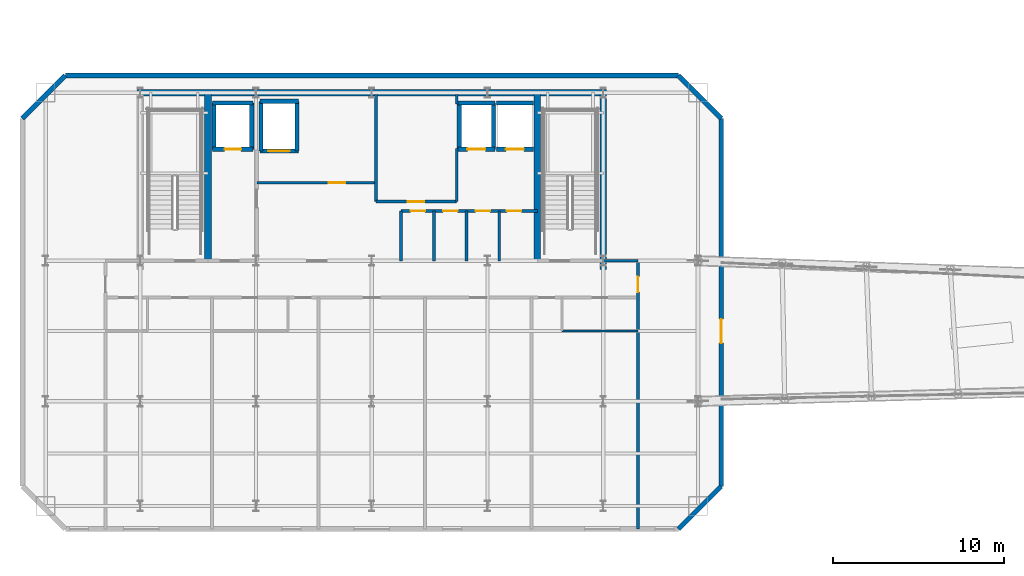
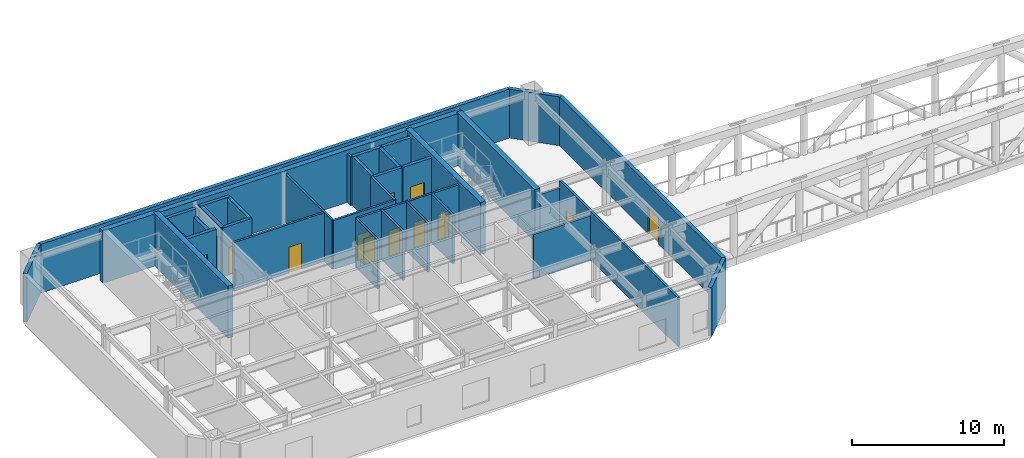
# One storey, part 8 of 14: 36 walls, 12 doors, 12 openings.
"""IFC4 building model written with IfcOpenShell, lengths in metres."""

from ifc_helpers import new_model, si_unit, direction, frame, frame_2d, origin, place, context, subcontext, project, spatial, rectangle, extrude, material, layer, layer_set, type_object, element, fill, save


model = new_model("IFC4")

# Units and contexts
model_context = context("Model", 3, precision=1e-05, world=origin(), true_north=direction((0.0, 1.0)))
body_context = subcontext(model_context, "Body", "Model", "MODEL_VIEW")
ifc_project = project(units=[si_unit("LENGTHUNIT", "METRE"), si_unit("AREAUNIT", "SQUARE_METRE"), si_unit("VOLUMEUNIT", "CUBIC_METRE"), si_unit("PLANEANGLEUNIT", "RADIAN"), si_unit("MASSUNIT", "GRAM", prefix="KILO")], contexts=[model_context])

# Site, building, storey
site_placement = place(None, origin())
site = spatial("IfcSite", under=ifc_project, at=site_placement, CompositionType="ELEMENT")
building_placement = place(site_placement, origin())
building = spatial("IfcBuilding", under=site, at=building_placement, Name="Haevon Station Towers", CompositionType="ELEMENT")
storey_placement = place(building_placement, frame((0.0, 0.0, 201.300048828125)))
storey = spatial("IfcBuildingStorey", under=building, at=storey_placement, Name="L55", CompositionType="ELEMENT", Elevation=201.300048828125)

# Walls
ifc_material_1 = material(Name="Concrete C60/75", Category="concrete")
ifc_layer_1 = layer(ifc_material_1, 0.39990234375)
ifc_layer_set_1 = layer_set([ifc_layer_1], Name="Concrete C60/75")
wall_type_1 = type_object("IfcWallType", Name="WL-CR400", PredefinedType="SHEAR", material=ifc_layer_set_1)
wall_1_placement = place(storey_placement, frame((23.800048828125, 48.0, 0.0), z_axis=(0.0, 0.0, 1.0), x_axis=(1.0, 0.0, 0.0)))
element("IfcWall", 1, at=wall_1_placement, inside=storey, type_object=wall_type_1, Name="WL-T1CR-L55-N", PredefinedType="SHEAR", context=body_context, shape_type="SweptSolid", body=[
    extrude(rectangle(XDim=27.39990234375, YDim=0.39990234375, at=frame_2d((13.699951171875, 0.0))), origin(), (0.0, 0.0, 1.0), 4.199951171875),
])
wall_2_placement = place(storey_placement, frame((51.0, 37.679931640625, 0.0), z_axis=(0.0, 0.0, 1.0), x_axis=(0.0, 1.0, 0.0)))
element("IfcWall", 2, at=wall_2_placement, inside=storey, type_object=wall_type_1, Name="WL-T1CR-L55-E", PredefinedType="SHEAR", context=body_context, shape_type="SweptSolid", body=[
    extrude(rectangle(XDim=10.320068359375, YDim=0.39990234375, at=frame_2d((5.16015625, 0.0))), origin(), (0.0, 0.0, 1.0), 4.199951171875),
])
for number, where, z_axis, x_axis, name in (
    (3, (27.949951171875, 38.199951171875, 0.0), (0.0, 0.0, 1.0), (0.0, 1.0, 0.0), "WL-T1CR-L55-M1"),
    (4, (47.14990234375, 38.199951171875, 0.0), (0.0, 0.0, 1.0), (0.0, 1.0, 0.0), "WL-T1CR-L55-M2"),
):
    element("IfcWall", number, at=place(storey_placement, frame(where, z_axis=z_axis, x_axis=x_axis)), inside=storey, type_object=wall_type_1, Name=name, PredefinedType="SHEAR", context=body_context, shape_type="SweptSolid", body=[
        extrude(rectangle(XDim=9.800048828125, YDim=0.39990234375, at=frame_2d((4.89990234375, 0.0))), origin(), (0.0, 0.0, 1.0), 4.199951171875),
    ])
ifc_material_2 = material(Name="Precast concrete C45/55", Category="concrete")
ifc_layer_2 = layer(ifc_material_2, 0.280029296875)
ifc_layer_set_2 = layer_set([ifc_layer_2], Name="Precast concrete C45/55")
wall_type_2 = type_object("IfcWallType", Name="WL-EXT-PIER280", PredefinedType="SOLIDWALL", material=ifc_layer_set_2)
wall_3_placement = place(storey_placement, frame((17.125, 46.5, 0.0), z_axis=(0.0, 0.0, 1.0), x_axis=(0.707106781187, 0.707106781187, 0.0)))
element("IfcWall", 5, at=wall_3_placement, inside=storey, type_object=wall_type_2, Name="WL-T1-L55-NWC", PredefinedType="SOLIDWALL", context=body_context, shape_type="SweptSolid", body=[
    extrude(rectangle(XDim=3.53564453125, YDim=0.280029296875, at=frame_2d((1.767822265625, 0.0))), origin(), (0.0, 0.0, 1.0), 3.929931640625),
])
wall_4_placement = place(storey_placement, frame((19.625, 49.0, 0.0), z_axis=(0.0, 0.0, 1.0), x_axis=(1.0, 0.0, 0.0)))
element("IfcWall", 6, at=wall_4_placement, inside=storey, type_object=wall_type_2, Name="WL-T1-L55-N", PredefinedType="SOLIDWALL", context=body_context, shape_type="SweptSolid", body=[
    extrude(rectangle(XDim=35.75, YDim=0.280029296875, at=frame_2d((17.875, 0.0))), origin(), (0.0, 0.0, 1.0), 3.929931640625),
])
wall_5_placement = place(storey_placement, frame((55.375, 49.0, 0.0), z_axis=(0.0, 0.0, 1.0), x_axis=(0.707106781187, -0.707106781187, 0.0)))
element("IfcWall", 7, at=wall_5_placement, inside=storey, type_object=wall_type_2, Name="WL-T1-L55-NEC", PredefinedType="SOLIDWALL", context=body_context, shape_type="SweptSolid", body=[
    extrude(rectangle(XDim=3.53564453125, YDim=0.280029296875, at=frame_2d((1.767822265625, 0.0))), origin(), (0.0, 0.0, 1.0), 3.929931640625),
])

# Wall, opening, door
wall_6_placement = place(storey_placement, frame((57.875, 46.5, 0.0), z_axis=(0.0, 0.0, 1.0), x_axis=(0.0, -1.0, 0.0)))
wall_6 = element("IfcWall", 8, at=wall_6_placement, inside=storey, type_object=wall_type_2, Name="WL-T1-L55-E", PredefinedType="SOLIDWALL", context=body_context, shape_type="SweptSolid", body=[
    extrude(rectangle(XDim=21.449951171875, YDim=0.280029296875, at=frame_2d((10.72509765625, 0.0))), origin(), (0.0, 0.0, 1.0), 3.929931640625),
])
opening_1_placement = place(wall_6_placement, frame((11.699951171875, 0.0, 0.0)))
opening_1 = element("IfcOpeningElement", 9, at=opening_1_placement, cuts=wall_6, Name="Opening DR-SKP-T1-L55", PredefinedType="OPENING", context=body_context, shape_type="SweptSolid", body=[
    extrude(rectangle(XDim=1.39990234375, YDim=2.14990234375, at=frame_2d((0.699951171875, 1.074951171875))), frame((0.0, 0.14990234375, 0.0), z_axis=(0.0, -1.0, 0.0), x_axis=(1.0, 0.0, 0.0)), (0.0, 0.0, 1.0), 0.300048828125),
])
ifc_material_3 = material(Name="Thermally broken anodised aluminium and laminated safety glass", Category="aluminium")
door_type_1 = type_object("IfcDoorType", Name="DR-SKP-1400", OperationType="NOTDEFINED", PredefinedType="DOOR", material=ifc_material_3)
door_1_placement = place(opening_1_placement, origin())
door_1 = element("IfcDoor", 10, at=door_1_placement, inside=storey, type_object=door_type_1, Name="Sky-Park Bridge Level L55 Tower 1 Fire Link Door", OperationType="SINGLE_SWING_LEFT", OverallHeight=2.14990234375, OverallWidth=1.39990234375, PredefinedType="DOOR", context=body_context, shape_type="SweptSolid", body=[
    extrude(rectangle(XDim=1.39990234375, YDim=2.14990234375, at=frame_2d((0.699951171875, 1.074951171875))), frame((0.0, 0.02490234375, 0.0), z_axis=(0.0, -1.0, 0.0), x_axis=(1.0, 0.0, 0.0)), (0.0, 0.0, 1.0), 0.050048828125),
])
fill(opening_1, door_1)

# Walls
wall_7_placement = place(storey_placement, frame((57.875, 25.050048828125, 0.0), z_axis=(0.0, 0.0, 1.0), x_axis=(-0.707106781187, -0.707106781187, 0.0)))
element("IfcWall", 11, at=wall_7_placement, inside=storey, type_object=wall_type_2, Name="WL-T1-L55-SEC", PredefinedType="SOLIDWALL", context=body_context, shape_type="SweptSolid", body=[
    extrude(rectangle(XDim=3.53564453125, YDim=0.280029296875, at=frame_2d((1.767822265625, 0.0))), origin(), (0.0, 0.0, 1.0), 3.929931640625),
])
ifc_material_4 = material(Name="Gypsum board on steel stud", Category="steel")
ifc_layer_3 = layer(ifc_material_4, 0.125)
ifc_layer_set_3 = layer_set([ifc_layer_3], Name="Gypsum board on steel stud")
wall_type_3 = type_object("IfcWallType", Name="WL-PRT125", PredefinedType="PARTITIONING", material=ifc_layer_set_3)
wall_8_placement = place(storey_placement, frame((48.594970703125, 34.10009765625, 0.0), z_axis=(0.0, 0.0, 1.0), x_axis=(1.0, 0.0, 0.0)))
element("IfcWall", 12, at=wall_8_placement, inside=storey, type_object=wall_type_3, Name="WL-T1PT-L55-13", PredefinedType="PARTITIONING", context=body_context, shape_type="SweptSolid", body=[
    extrude(rectangle(XDim=4.429931640625, YDim=0.125, at=frame_2d((2.21484375, 0.0))), origin(), (0.0, 0.0, 1.0), 3.579833984375),
])

# Wall, opening, door
ifc_layer_4 = layer(ifc_material_4, 0.159912109375)
ifc_layer_set_4 = layer_set([ifc_layer_4], Name="Gypsum board on steel stud")
wall_type_4 = type_object("IfcWallType", Name="WL-PRT160", PredefinedType="PARTITIONING", material=ifc_layer_set_4)
wall_9_placement = place(storey_placement, frame((30.800048828125, 42.75, 0.0), z_axis=(0.0, 0.0, 1.0), x_axis=(1.0, 0.0, 0.0)))
wall_9 = element("IfcWall", 13, at=wall_9_placement, inside=storey, type_object=wall_type_4, Name="WL-T1CW-L55-01", PredefinedType="PARTITIONING", context=body_context, shape_type="SweptSolid", body=[
    extrude(rectangle(XDim=6.949951171875, YDim=0.159912109375, at=frame_2d((3.47509765625, 0.0))), origin(), (0.0, 0.0, 1.0), 3.929931640625),
])
opening_2_placement = place(wall_9_placement, frame((4.199951171875, 0.0, 0.0)))
opening_2 = element("IfcOpeningElement", 14, at=opening_2_placement, cuts=wall_9, Name="Opening DR-WL-T1CW-L55-01-1", PredefinedType="OPENING", context=body_context, shape_type="SweptSolid", body=[
    extrude(rectangle(XDim=0.949951171875, YDim=2.10009765625, at=frame_2d((0.47509765625, 1.050048828125))), frame((0.0, 0.08984375, 0.0), z_axis=(0.0, -1.0, 0.0), x_axis=(1.0, 0.0, 0.0)), (0.0, 0.0, 1.0), 0.179931640625),
])
ifc_material_5 = material(Name="Engineered oak timber", Category="wood")
door_type_2 = type_object("IfcDoorType", Name="DR-FD60-950", OperationType="NOTDEFINED", PredefinedType="DOOR", material=ifc_material_5)
door_2_placement = place(opening_2_placement, origin())
door_2 = element("IfcDoor", 15, at=door_2_placement, inside=storey, type_object=door_type_2, Name="L55 Tower 1 Core Room Door 1-1", OperationType="SINGLE_SWING_LEFT", OverallHeight=2.10009765625, OverallWidth=0.949951171875, PredefinedType="DOOR", context=body_context, shape_type="SweptSolid", body=[
    extrude(rectangle(XDim=0.949951171875, YDim=2.10009765625, at=frame_2d((0.47509765625, 1.050048828125))), frame((0.0, 0.02490234375, 0.0), z_axis=(0.0, -1.0, 0.0), x_axis=(1.0, 0.0, 0.0)), (0.0, 0.0, 1.0), 0.050048828125),
])
fill(opening_2, door_2)

# Wall
wall_10_placement = place(storey_placement, frame((37.75, 41.64990234375, 0.0), z_axis=(0.0, 0.0, 1.0), x_axis=(0.0, 1.0, 0.0)))
element("IfcWall", 16, at=wall_10_placement, inside=storey, type_object=wall_type_4, Name="WL-T1CW-L55-02", PredefinedType="PARTITIONING", context=body_context, shape_type="SweptSolid", body=[
    extrude(rectangle(XDim=6.25, YDim=0.159912109375, at=frame_2d((3.125, 0.0))), origin(), (0.0, 0.0, 1.0), 3.929931640625),
])

# Wall, opening, door
wall_11_placement = place(storey_placement, frame((37.75, 41.64990234375, 0.0), z_axis=(0.0, 0.0, 1.0), x_axis=(1.0, 0.0, 0.0)))
wall_11 = element("IfcWall", 17, at=wall_11_placement, inside=storey, type_object=wall_type_4, Name="WL-T1CW-L55-03", PredefinedType="PARTITIONING", context=body_context, shape_type="SweptSolid", body=[
    extrude(rectangle(XDim=4.699951171875, YDim=0.159912109375, at=frame_2d((2.35009765625, 0.0))), origin(), (0.0, 0.0, 1.0), 3.929931640625),
])
opening_3_placement = place(wall_11_placement, frame((1.85009765625, 0.0, 0.0)))
opening_3 = element("IfcOpeningElement", 18, at=opening_3_placement, cuts=wall_11, Name="Opening DR-WL-T1CW-L55-03-1", PredefinedType="OPENING", context=body_context, shape_type="SweptSolid", body=[
    extrude(rectangle(XDim=0.949951171875, YDim=2.10009765625, at=frame_2d((0.47509765625, 1.050048828125))), frame((0.0, 0.08984375, 0.0), z_axis=(0.0, -1.0, 0.0), x_axis=(1.0, 0.0, 0.0)), (0.0, 0.0, 1.0), 0.179931640625),
])
door_3_placement = place(opening_3_placement, origin())
door_3 = element("IfcDoor", 19, at=door_3_placement, inside=storey, type_object=door_type_2, Name="L55 Tower 1 Core Room Door 3-1", OperationType="SINGLE_SWING_RIGHT", OverallHeight=2.10009765625, OverallWidth=0.949951171875, PredefinedType="DOOR", context=body_context, shape_type="SweptSolid", body=[
    extrude(rectangle(XDim=0.949951171875, YDim=2.10009765625, at=frame_2d((0.47509765625, 1.050048828125))), frame((0.0, 0.02490234375, 0.0), z_axis=(0.0, -1.0, 0.0), x_axis=(1.0, 0.0, 0.0)), (0.0, 0.0, 1.0), 0.050048828125),
])
fill(opening_3, door_3)

# Walls
wall_12_placement = place(storey_placement, frame((42.449951171875, 41.64990234375, 0.0), z_axis=(0.0, 0.0, 1.0), x_axis=(0.0, 1.0, 0.0)))
element("IfcWall", 20, at=wall_12_placement, inside=storey, type_object=wall_type_4, Name="WL-T1CW-L55-04", PredefinedType="PARTITIONING", context=body_context, shape_type="SweptSolid", body=[
    extrude(rectangle(XDim=3.10009765625, YDim=0.159912109375, at=frame_2d((1.550048828125, 0.0))), origin(), (0.0, 0.0, 1.0), 3.929931640625),
])
wall_13_placement = place(storey_placement, frame((42.449951171875, 47.35009765625, 0.0), z_axis=(0.0, 0.0, 1.0), x_axis=(0.0, 1.0, 0.0)))
element("IfcWall", 21, at=wall_13_placement, inside=storey, type_object=wall_type_4, Name="WL-T1CW-L55-05", PredefinedType="PARTITIONING", context=body_context, shape_type="SweptSolid", body=[
    extrude(rectangle(XDim=0.5498046875, YDim=0.159912109375, at=frame_2d((0.27490234375, 0.0))), origin(), (0.0, 0.0, 1.0), 3.929931640625),
])
for number, where, z_axis, x_axis, name in (
    (22, (39.199951171875, 38.199951171875, 0.0), (0.0, 0.0, 1.0), (0.0, 1.0, 0.0), "WL-T1CW-L55-06"),
    (23, (41.1298828125, 38.199951171875, 0.0), (0.0, 0.0, 1.0), (0.0, 1.0, 0.0), "WL-T1CW-L55-07"),
    (24, (43.030029296875, 38.199951171875, 0.0), (0.0, 0.0, 1.0), (0.0, 1.0, 0.0), "WL-T1CW-L55-08"),
    (25, (44.929931640625, 38.199951171875, 0.0), (0.0, 0.0, 1.0), (0.0, 1.0, 0.0), "WL-T1CW-L55-09"),
):
    element("IfcWall", number, at=place(storey_placement, frame(where, z_axis=z_axis, x_axis=x_axis)), inside=storey, type_object=wall_type_4, Name=name, PredefinedType="PARTITIONING", context=body_context, shape_type="SweptSolid", body=[
        extrude(rectangle(XDim=2.900146484375, YDim=0.159912109375, at=frame_2d((1.4501953125, 0.0))), origin(), (0.0, 0.0, 1.0), 3.929931640625),
    ])

# Wall, openings, doors
wall_14_placement = place(storey_placement, frame((39.199951171875, 41.10009765625, 0.0), z_axis=(0.0, 0.0, 1.0), x_axis=(1.0, 0.0, 0.0)))
wall_14 = element("IfcWall", 26, at=wall_14_placement, inside=storey, type_object=wall_type_4, Name="WL-T1CW-L55-10", PredefinedType="PARTITIONING", context=body_context, shape_type="SweptSolid", body=[
    extrude(rectangle(XDim=7.949951171875, YDim=0.159912109375, at=frame_2d((3.97509765625, 0.0))), origin(), (0.0, 0.0, 1.0), 3.929931640625),
])
opening_4_placement = place(wall_14_placement, frame((0.56005859375, 0.0, 0.0)))
opening_4 = element("IfcOpeningElement", 27, at=opening_4_placement, cuts=wall_14, Name="Opening DR-WL-T1CW-L55-10-1", PredefinedType="OPENING", context=body_context, shape_type="SweptSolid", body=[
    extrude(rectangle(XDim=0.85009765625, YDim=2.050048828125, at=frame_2d((0.425048828125, 1.02490234375))), frame((0.0, 0.08984375, 0.0), z_axis=(0.0, -1.0, 0.0), x_axis=(1.0, 0.0, 0.0)), (0.0, 0.0, 1.0), 0.179931640625),
])
opening_5_placement = place(wall_14_placement, frame((2.455078125, 0.0, 0.0)))
opening_5 = element("IfcOpeningElement", 28, at=opening_5_placement, cuts=wall_14, Name="Opening DR-WL-T1CW-L55-10-2", PredefinedType="OPENING", context=body_context, shape_type="SweptSolid", body=[
    extrude(rectangle(XDim=0.85009765625, YDim=2.050048828125, at=frame_2d((0.425048828125, 1.02490234375))), frame((0.0, 0.08984375, 0.0), z_axis=(0.0, -1.0, 0.0), x_axis=(1.0, 0.0, 0.0)), (0.0, 0.0, 1.0), 0.179931640625),
])
opening_6_placement = place(wall_14_placement, frame((4.35498046875, 0.0, 0.0)))
opening_6 = element("IfcOpeningElement", 29, at=opening_6_placement, cuts=wall_14, Name="Opening DR-WL-T1CW-L55-10-3", PredefinedType="OPENING", context=body_context, shape_type="SweptSolid", body=[
    extrude(rectangle(XDim=0.85009765625, YDim=2.050048828125, at=frame_2d((0.425048828125, 1.02490234375))), frame((0.0, 0.08984375, 0.0), z_axis=(0.0, -1.0, 0.0), x_axis=(1.0, 0.0, 0.0)), (0.0, 0.0, 1.0), 0.179931640625),
])
opening_7_placement = place(wall_14_placement, frame((6.179931640625, 0.0, 0.0)))
opening_7 = element("IfcOpeningElement", 30, at=opening_7_placement, cuts=wall_14, Name="Opening DR-WL-T1CW-L55-10-4", PredefinedType="OPENING", context=body_context, shape_type="SweptSolid", body=[
    extrude(rectangle(XDim=0.85009765625, YDim=2.050048828125, at=frame_2d((0.425048828125, 1.02490234375))), frame((0.0, 0.08984375, 0.0), z_axis=(0.0, -1.0, 0.0), x_axis=(1.0, 0.0, 0.0)), (0.0, 0.0, 1.0), 0.179931640625),
])
door_type_3 = type_object("IfcDoorType", Name="DR-FD30-850", OperationType="NOTDEFINED", PredefinedType="DOOR", material=ifc_material_5)
door_4_placement = place(opening_4_placement, origin())
door_4 = element("IfcDoor", 31, at=door_4_placement, inside=storey, type_object=door_type_3, Name="L55 Tower 1 Core Room Door 10-1", OperationType="SINGLE_SWING_LEFT", OverallHeight=2.050048828125, OverallWidth=0.85009765625, PredefinedType="DOOR", context=body_context, shape_type="SweptSolid", body=[
    extrude(rectangle(XDim=0.85009765625, YDim=2.050048828125, at=frame_2d((0.425048828125, 1.02490234375))), frame((0.0, 0.02490234375, 0.0), z_axis=(0.0, -1.0, 0.0), x_axis=(1.0, 0.0, 0.0)), (0.0, 0.0, 1.0), 0.050048828125),
])
fill(opening_4, door_4)
door_5_placement = place(opening_5_placement, origin())
door_5 = element("IfcDoor", 32, at=door_5_placement, inside=storey, type_object=door_type_3, Name="L55 Tower 1 Core Room Door 10-2", OperationType="SINGLE_SWING_RIGHT", OverallHeight=2.050048828125, OverallWidth=0.85009765625, PredefinedType="DOOR", context=body_context, shape_type="SweptSolid", body=[
    extrude(rectangle(XDim=0.85009765625, YDim=2.050048828125, at=frame_2d((0.425048828125, 1.02490234375))), frame((0.0, 0.02490234375, 0.0), z_axis=(0.0, -1.0, 0.0), x_axis=(1.0, 0.0, 0.0)), (0.0, 0.0, 1.0), 0.050048828125),
])
fill(opening_5, door_5)
door_6_placement = place(opening_6_placement, origin())
door_6 = element("IfcDoor", 33, at=door_6_placement, inside=storey, type_object=door_type_3, Name="L55 Tower 1 Core Room Door 10-3", OperationType="SINGLE_SWING_LEFT", OverallHeight=2.050048828125, OverallWidth=0.85009765625, PredefinedType="DOOR", context=body_context, shape_type="SweptSolid", body=[
    extrude(rectangle(XDim=0.85009765625, YDim=2.050048828125, at=frame_2d((0.425048828125, 1.02490234375))), frame((0.0, 0.02490234375, 0.0), z_axis=(0.0, -1.0, 0.0), x_axis=(1.0, 0.0, 0.0)), (0.0, 0.0, 1.0), 0.050048828125),
])
fill(opening_6, door_6)
door_7_placement = place(opening_7_placement, origin())
door_7 = element("IfcDoor", 34, at=door_7_placement, inside=storey, type_object=door_type_3, Name="L55 Tower 1 Core Room Door 10-4", OperationType="SINGLE_SWING_RIGHT", OverallHeight=2.050048828125, OverallWidth=0.85009765625, PredefinedType="DOOR", context=body_context, shape_type="SweptSolid", body=[
    extrude(rectangle(XDim=0.85009765625, YDim=2.050048828125, at=frame_2d((0.425048828125, 1.02490234375))), frame((0.0, 0.02490234375, 0.0), z_axis=(0.0, -1.0, 0.0), x_axis=(1.0, 0.0, 0.0)), (0.0, 0.0, 1.0), 0.050048828125),
])
fill(opening_7, door_7)

# Wall
wall_15_placement = place(storey_placement, frame((51.0, 38.199951171875, 0.0), z_axis=(0.0, 0.0, 1.0), x_axis=(1.0, 0.0, 0.0)))
element("IfcWall", 35, at=wall_15_placement, inside=storey, type_object=wall_type_4, Name="WL-T1PT-L55-02", PredefinedType="PARTITIONING", context=body_context, shape_type="SweptSolid", body=[
    extrude(rectangle(XDim=2.02490234375, YDim=0.159912109375, at=frame_2d((1.012451171875, 0.0))), origin(), (0.0, 0.0, 1.0), 3.329833984375),
])

# Wall, opening, door
wall_16_placement = place(storey_placement, frame((53.02490234375, 22.550048828125, 0.0), z_axis=(0.0, 0.0, 1.0), x_axis=(0.0, 1.0, 0.0)))
wall_16 = element("IfcWall", 36, at=wall_16_placement, inside=storey, type_object=wall_type_4, Name="WL-T1PT-L55-04", PredefinedType="PARTITIONING", context=body_context, shape_type="SweptSolid", body=[
    extrude(rectangle(XDim=15.64990234375, YDim=0.159912109375, at=frame_2d((7.824951171875, 0.0))), origin(), (0.0, 0.0, 1.0), 3.929931640625),
])
opening_8_placement = place(wall_16_placement, frame((13.820068359375, 0.0, 0.0)))
opening_8 = element("IfcOpeningElement", 37, at=opening_8_placement, cuts=wall_16, Name="Opening DR-WL-T1PT-L55-04-01", PredefinedType="OPENING", context=body_context, shape_type="SweptSolid", body=[
    extrude(rectangle(XDim=0.89990234375, YDim=2.050048828125, at=frame_2d((0.449951171875, 1.02490234375))), frame((0.0, 0.08984375, 0.0), z_axis=(0.0, -1.0, 0.0), x_axis=(1.0, 0.0, 0.0)), (0.0, 0.0, 1.0), 0.179931640625),
])
door_type_4 = type_object("IfcDoorType", Name="DR-INT-900", OperationType="NOTDEFINED", PredefinedType="DOOR", material=ifc_material_5)
door_8_placement = place(opening_8_placement, origin())
door_8 = element("IfcDoor", 38, at=door_8_placement, inside=storey, type_object=door_type_4, Name="L55 Tower 1 Room Door 4-1", OperationType="SINGLE_SWING_RIGHT", OverallHeight=2.050048828125, OverallWidth=0.89990234375, PredefinedType="DOOR", context=body_context, shape_type="SweptSolid", body=[
    extrude(rectangle(XDim=0.89990234375, YDim=2.050048828125, at=frame_2d((0.449951171875, 1.02490234375))), frame((0.0, 0.02490234375, 0.0), z_axis=(0.0, -1.0, 0.0), x_axis=(1.0, 0.0, 0.0)), (0.0, 0.0, 1.0), 0.050048828125),
])
fill(opening_8, door_8)

ifc_material_6 = material(Name="Concrete C40/50", Category="concrete")
ifc_layer_5 = layer(ifc_material_6, 0.239990234375)
ifc_layer_set_5 = layer_set([ifc_layer_5], Name="Concrete C40/50")
wall_type_5 = type_object("IfcWallType", Name="WL-SHF240", PredefinedType="PARTITIONING", material=ifc_layer_set_5)
wall_17_placement = place(storey_placement, frame((28.219970703125, 44.699951171875, 0.0), z_axis=(0.0, 0.0, 1.0), x_axis=(1.0, 0.0, 0.0)))
wall_17 = element("IfcWall", 39, at=wall_17_placement, inside=storey, type_object=wall_type_5, Name="WL-SHF-FL1-L55", PredefinedType="PARTITIONING", context=body_context, shape_type="SweptSolid", body=[
    extrude(rectangle(XDim=2.360107421875, YDim=0.239990234375, at=frame_2d((1.18017578125, 0.0))), origin(), (0.0, 0.0, 1.0), 3.929931640625),
])
opening_9_placement = place(wall_17_placement, frame((0.705078125, 0.0, 0.0)))
opening_9 = element("IfcOpeningElement", 40, at=opening_9_placement, cuts=wall_17, Name="Opening LD-FL1-L55", PredefinedType="OPENING", context=body_context, shape_type="SweptSolid", body=[
    extrude(rectangle(XDim=0.949951171875, YDim=2.14990234375, at=frame_2d((0.47509765625, 1.074951171875))), frame((0.0, 0.1298828125, 0.0), z_axis=(0.0, -1.0, 0.0), x_axis=(1.0, 0.0, 0.0)), (0.0, 0.0, 1.0), 0.260009765625),
])
ifc_material_7 = material(Name="Stainless steel and rated core", Category="steel")
door_type_5 = type_object("IfcDoorType", Name="LD-FL950", OperationType="SLIDING_TO_LEFT", PredefinedType="DOOR", material=ifc_material_7)
door_9_placement = place(opening_9_placement, origin())
door_9 = element("IfcDoor", 41, at=door_9_placement, inside=storey, type_object=door_type_5, Name="L55 Lift FL1 Sliding Landing Door", OperationType="SLIDING_TO_LEFT", OverallHeight=2.14990234375, OverallWidth=0.949951171875, PredefinedType="DOOR", context=body_context, shape_type="SweptSolid", body=[
    extrude(rectangle(XDim=0.949951171875, YDim=2.14990234375, at=frame_2d((0.47509765625, 1.074951171875))), frame((0.0, 0.02490234375, 0.0), z_axis=(0.0, -1.0, 0.0), x_axis=(1.0, 0.0, 0.0)), (0.0, 0.0, 1.0), 0.050048828125),
])
fill(opening_9, door_9)

# Walls
wall_18_placement = place(storey_placement, frame((28.219970703125, 47.39990234375, 0.0), z_axis=(0.0, 0.0, 1.0), x_axis=(1.0, 0.0, 0.0)))
element("IfcWall", 42, at=wall_18_placement, inside=storey, type_object=wall_type_5, Name="WL-SHF-FL1-L55-N", PredefinedType="PARTITIONING", context=body_context, shape_type="SweptSolid", body=[
    extrude(rectangle(XDim=2.360107421875, YDim=0.239990234375, at=frame_2d((1.18017578125, 0.0))), origin(), (0.0, 0.0, 1.0), 3.929931640625),
])
wall_19_placement = place(storey_placement, frame((28.300048828125, 44.699951171875, 0.0), z_axis=(0.0, 0.0, 1.0), x_axis=(0.0, 1.0, 0.0)))
element("IfcWall", 43, at=wall_19_placement, inside=storey, type_object=wall_type_5, Name="WL-SHF-FL1-L55-W", PredefinedType="PARTITIONING", context=body_context, shape_type="SweptSolid", body=[
    extrude(rectangle(XDim=2.699951171875, YDim=0.239990234375, at=frame_2d((1.35009765625, 0.0))), origin(), (0.0, 0.0, 1.0), 3.929931640625),
])
wall_20_placement = place(storey_placement, frame((30.5, 44.699951171875, 0.0), z_axis=(0.0, 0.0, 1.0), x_axis=(0.0, 1.0, 0.0)))
element("IfcWall", 44, at=wall_20_placement, inside=storey, type_object=wall_type_5, Name="WL-SHF-FL1-L55-E", PredefinedType="PARTITIONING", context=body_context, shape_type="SweptSolid", body=[
    extrude(rectangle(XDim=2.699951171875, YDim=0.239990234375, at=frame_2d((1.35009765625, 0.0))), origin(), (0.0, 0.0, 1.0), 3.329833984375),
])

# Wall, opening, door
wall_21_placement = place(storey_placement, frame((30.969970703125, 44.60009765625, 0.0), z_axis=(0.0, 0.0, 1.0), x_axis=(1.0, 0.0, 0.0)))
wall_21 = element("IfcWall", 45, at=wall_21_placement, inside=storey, type_object=wall_type_5, Name="WL-SHF-SL1-L55", PredefinedType="PARTITIONING", context=body_context, shape_type="SweptSolid", body=[
    extrude(rectangle(XDim=2.260009765625, YDim=0.239990234375, at=frame_2d((1.1298828125, 0.0))), origin(), (0.0, 0.0, 1.0), 3.929931640625),
])
opening_10_placement = place(wall_21_placement, frame((0.5048828125, 0.0, 0.0)))
opening_10 = element("IfcOpeningElement", 46, at=opening_10_placement, cuts=wall_21, Name="Opening LD-SL1-L55", PredefinedType="OPENING", context=body_context, shape_type="SweptSolid", body=[
    extrude(rectangle(XDim=1.25, YDim=2.199951171875, at=frame_2d((0.625, 1.10009765625))), frame((0.0, 0.1298828125, 0.0), z_axis=(0.0, -1.0, 0.0), x_axis=(1.0, 0.0, 0.0)), (0.0, 0.0, 1.0), 0.260009765625),
])
door_type_6 = type_object("IfcDoorType", Name="LD-SL1250", OperationType="SLIDING_TO_LEFT", PredefinedType="DOOR", material=ifc_material_7)
door_10_placement = place(opening_10_placement, origin())
door_10 = element("IfcDoor", 47, at=door_10_placement, inside=storey, type_object=door_type_6, Name="L55 Lift SL1 Sliding Landing Door", OperationType="SLIDING_TO_LEFT", OverallHeight=2.199951171875, OverallWidth=1.25, PredefinedType="DOOR", context=body_context, shape_type="SweptSolid", body=[
    extrude(rectangle(XDim=1.25, YDim=2.199951171875, at=frame_2d((0.625, 1.10009765625))), frame((0.0, 0.02490234375, 0.0), z_axis=(0.0, -1.0, 0.0), x_axis=(1.0, 0.0, 0.0)), (0.0, 0.0, 1.0), 0.050048828125),
])
fill(opening_10, door_10)

# Walls
wall_22_placement = place(storey_placement, frame((30.969970703125, 47.5, 0.0), z_axis=(0.0, 0.0, 1.0), x_axis=(1.0, 0.0, 0.0)))
element("IfcWall", 48, at=wall_22_placement, inside=storey, type_object=wall_type_5, Name="WL-SHF-SL1-L55-N", PredefinedType="PARTITIONING", context=body_context, shape_type="SweptSolid", body=[
    extrude(rectangle(XDim=2.260009765625, YDim=0.239990234375, at=frame_2d((1.1298828125, 0.0))), origin(), (0.0, 0.0, 1.0), 3.929931640625),
])
for number, where, z_axis, x_axis, name in (
    (49, (31.050048828125, 44.60009765625, 0.0), (0.0, 0.0, 1.0), (0.0, 1.0, 0.0), "WL-SHF-SL1-L55-W"),
    (50, (33.14990234375, 44.60009765625, 0.0), (0.0, 0.0, 1.0), (0.0, 1.0, 0.0), "WL-SHF-SL1-L55-E"),
):
    element("IfcWall", number, at=place(storey_placement, frame(where, z_axis=z_axis, x_axis=x_axis)), inside=storey, type_object=wall_type_5, Name=name, PredefinedType="PARTITIONING", context=body_context, shape_type="SweptSolid", body=[
        extrude(rectangle(XDim=2.89990234375, YDim=0.239990234375, at=frame_2d((1.449951171875, 0.0))), origin(), (0.0, 0.0, 1.0), 3.929931640625),
    ])

# Wall, opening, door
wall_23_placement = place(storey_placement, frame((42.52001953125, 44.699951171875, 0.0), z_axis=(0.0, 0.0, 1.0), x_axis=(1.0, 0.0, 0.0)))
wall_23 = element("IfcWall", 51, at=wall_23_placement, inside=storey, type_object=wall_type_5, Name="WL-SHF-PL5-L55", PredefinedType="PARTITIONING", context=body_context, shape_type="SweptSolid", body=[
    extrude(rectangle(XDim=2.159912109375, YDim=0.239990234375, at=frame_2d((1.080078125, 0.0))), origin(), (0.0, 0.0, 1.0), 3.929931640625),
])
opening_11_placement = place(wall_23_placement, frame((0.554931640625, 0.0, 0.0)))
opening_11 = element("IfcOpeningElement", 52, at=opening_11_placement, cuts=wall_23, Name="Opening LD-PL5-L55", PredefinedType="OPENING", context=body_context, shape_type="SweptSolid", body=[
    extrude(rectangle(XDim=1.050048828125, YDim=2.14990234375, at=frame_2d((0.52490234375, 1.074951171875))), frame((0.0, 0.1298828125, 0.0), z_axis=(0.0, -1.0, 0.0), x_axis=(1.0, 0.0, 0.0)), (0.0, 0.0, 1.0), 0.260009765625),
])
door_type_7 = type_object("IfcDoorType", Name="LD-PL1050", OperationType="SLIDING_TO_LEFT", PredefinedType="DOOR", material=ifc_material_7)
door_11_placement = place(opening_11_placement, origin())
door_11 = element("IfcDoor", 53, at=door_11_placement, inside=storey, type_object=door_type_7, Name="L55 Lift PL5 Sliding Landing Door", OperationType="SLIDING_TO_LEFT", OverallHeight=2.14990234375, OverallWidth=1.050048828125, PredefinedType="DOOR", context=body_context, shape_type="SweptSolid", body=[
    extrude(rectangle(XDim=1.050048828125, YDim=2.14990234375, at=frame_2d((0.52490234375, 1.074951171875))), frame((0.0, 0.02490234375, 0.0), z_axis=(0.0, -1.0, 0.0), x_axis=(1.0, 0.0, 0.0)), (0.0, 0.0, 1.0), 0.050048828125),
])
fill(opening_11, door_11)

# Walls
wall_24_placement = place(storey_placement, frame((42.52001953125, 47.39990234375, 0.0), z_axis=(0.0, 0.0, 1.0), x_axis=(1.0, 0.0, 0.0)))
element("IfcWall", 54, at=wall_24_placement, inside=storey, type_object=wall_type_5, Name="WL-SHF-PL5-L55-N", PredefinedType="PARTITIONING", context=body_context, shape_type="SweptSolid", body=[
    extrude(rectangle(XDim=2.159912109375, YDim=0.239990234375, at=frame_2d((1.080078125, 0.0))), origin(), (0.0, 0.0, 1.0), 3.929931640625),
])
for number, where, z_axis, x_axis, name in (
    (55, (42.60009765625, 44.699951171875, 0.0), (0.0, 0.0, 1.0), (0.0, 1.0, 0.0), "WL-SHF-PL5-L55-W"),
    (56, (44.60009765625, 44.699951171875, 0.0), (0.0, 0.0, 1.0), (0.0, 1.0, 0.0), "WL-SHF-PL5-L55-E"),
):
    element("IfcWall", number, at=place(storey_placement, frame(where, z_axis=z_axis, x_axis=x_axis)), inside=storey, type_object=wall_type_5, Name=name, PredefinedType="PARTITIONING", context=body_context, shape_type="SweptSolid", body=[
        extrude(rectangle(XDim=2.699951171875, YDim=0.239990234375, at=frame_2d((1.35009765625, 0.0))), origin(), (0.0, 0.0, 1.0), 3.929931640625),
    ])

# Wall, opening, door
wall_25_placement = place(storey_placement, frame((44.77001953125, 44.699951171875, 0.0), z_axis=(0.0, 0.0, 1.0), x_axis=(1.0, 0.0, 0.0)))
wall_25 = element("IfcWall", 57, at=wall_25_placement, inside=storey, type_object=wall_type_5, Name="WL-SHF-PL6-L55", PredefinedType="PARTITIONING", context=body_context, shape_type="SweptSolid", body=[
    extrude(rectangle(XDim=2.159912109375, YDim=0.239990234375, at=frame_2d((1.080078125, 0.0))), origin(), (0.0, 0.0, 1.0), 3.929931640625),
])
opening_12_placement = place(wall_25_placement, frame((0.554931640625, 0.0, 0.0)))
opening_12 = element("IfcOpeningElement", 58, at=opening_12_placement, cuts=wall_25, Name="Opening LD-PL6-L55", PredefinedType="OPENING", context=body_context, shape_type="SweptSolid", body=[
    extrude(rectangle(XDim=1.050048828125, YDim=2.14990234375, at=frame_2d((0.52490234375, 1.074951171875))), frame((0.0, 0.1298828125, 0.0), z_axis=(0.0, -1.0, 0.0), x_axis=(1.0, 0.0, 0.0)), (0.0, 0.0, 1.0), 0.260009765625),
])
door_12_placement = place(opening_12_placement, origin())
door_12 = element("IfcDoor", 59, at=door_12_placement, inside=storey, type_object=door_type_7, Name="L55 Lift PL6 Sliding Landing Door", OperationType="SLIDING_TO_LEFT", OverallHeight=2.14990234375, OverallWidth=1.050048828125, PredefinedType="DOOR", context=body_context, shape_type="SweptSolid", body=[
    extrude(rectangle(XDim=1.050048828125, YDim=2.14990234375, at=frame_2d((0.52490234375, 1.074951171875))), frame((0.0, 0.02490234375, 0.0), z_axis=(0.0, -1.0, 0.0), x_axis=(1.0, 0.0, 0.0)), (0.0, 0.0, 1.0), 0.050048828125),
])
fill(opening_12, door_12)

# Wall
wall_26_placement = place(storey_placement, frame((44.77001953125, 47.39990234375, 0.0), z_axis=(0.0, 0.0, 1.0), x_axis=(1.0, 0.0, 0.0)))
element("IfcWall", 60, at=wall_26_placement, inside=storey, type_object=wall_type_5, Name="WL-SHF-PL6-L55-N", PredefinedType="PARTITIONING", context=body_context, shape_type="SweptSolid", body=[
    extrude(rectangle(XDim=2.159912109375, YDim=0.239990234375, at=frame_2d((1.080078125, 0.0))), origin(), (0.0, 0.0, 1.0), 3.929931640625),
])

save(model, "model.ifc")
